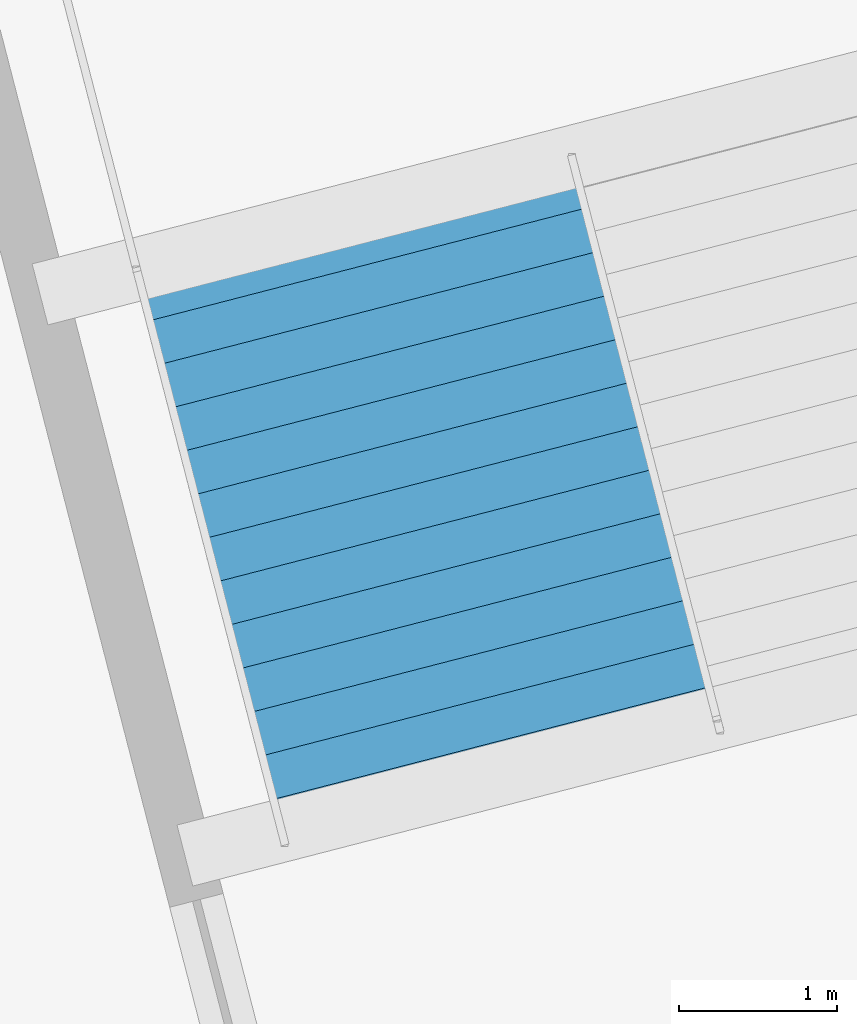
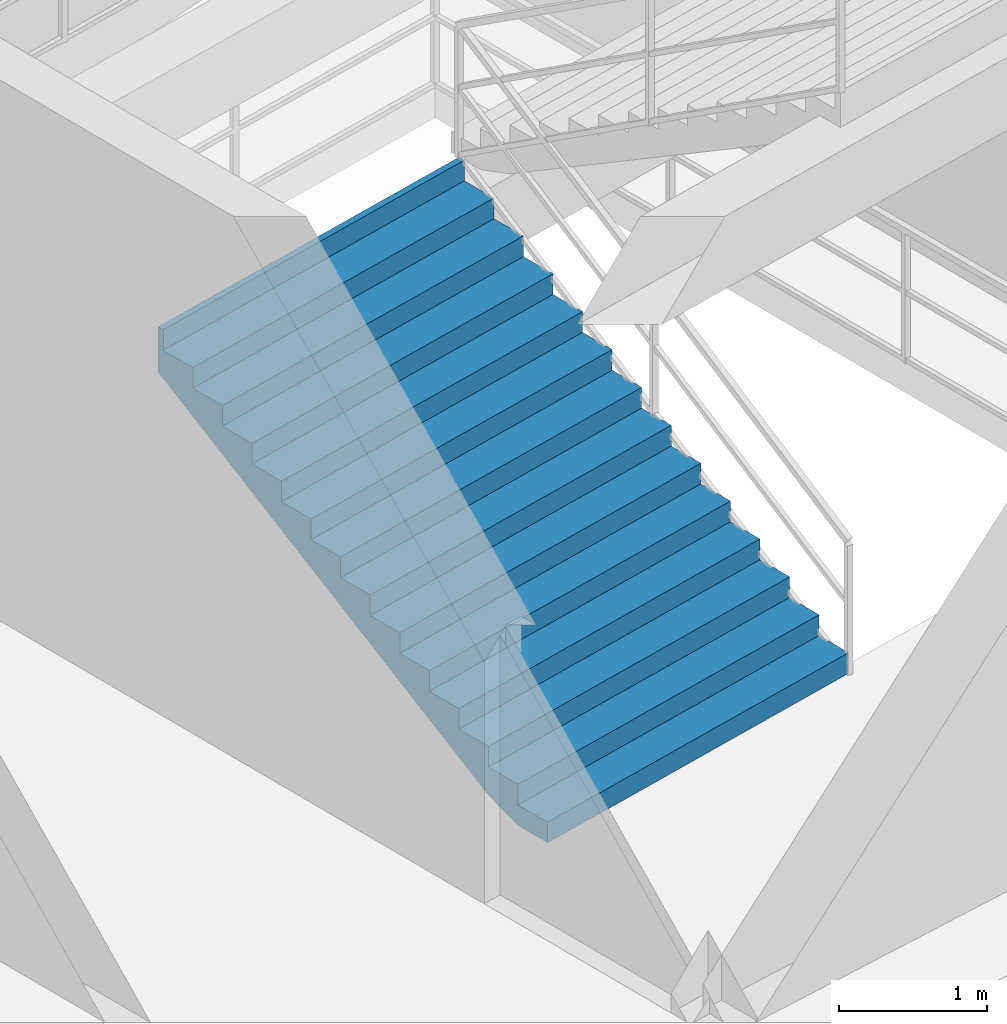
# One storey, part 152 of 171: 1 stair flight, 1 element without a shape of its own.
"""IFC4 building model written with IfcOpenShell, lengths in metres."""

from ifc_helpers import new_model, si_unit, direction, frame, origin, place, context, subcontext, project, spatial, polygons, material, type_object, element, aggregate, save


model = new_model("IFC4")

# Units and contexts
model_context = context("Model", 3, precision=1e-05, world=origin(), true_north=direction((0.0, 1.0)))
body_context = subcontext(model_context, "Body", "Model", "MODEL_VIEW")
ifc_project = project(units=[si_unit("LENGTHUNIT", "METRE"), si_unit("AREAUNIT", "SQUARE_METRE"), si_unit("VOLUMEUNIT", "CUBIC_METRE"), si_unit("PLANEANGLEUNIT", "RADIAN"), si_unit("MASSUNIT", "GRAM", prefix="KILO")], contexts=[model_context])

# Site, building, storey
site_placement = place(None, origin())
site = spatial("IfcSite", under=ifc_project, at=site_placement, CompositionType="ELEMENT")
building_placement = place(site_placement, origin())
building = spatial("IfcBuilding", under=site, at=building_placement, Name="Kazemori Nagisa Stadium", CompositionType="ELEMENT")
storey_placement = place(building_placement, frame((0.0, 0.0, 15.639892578125)))
storey = spatial("IfcBuildingStorey", under=building, at=storey_placement, Name="L03", CompositionType="ELEMENT", Elevation=15.639892578125)

# Stair, stair flight
ifc_material = material(Name="Concrete C36/45 (Fc36)", Category="concrete")
stair_type = type_object("IfcStairType", Name="Stair_CORE_28", PredefinedType="TWO_STRAIGHT_RUN_STAIR", material=ifc_material)
stair_placement = place(storey_placement, origin())
stair = element("IfcStair", 1, at=stair_placement, inside=storey, type_object=stair_type, Name="Exit stair ST07 L03", PredefinedType="TWO_STRAIGHT_RUN_STAIR")
stair_flight_type = type_object("IfcStairFlightType", Name="Flight_CORE_14", PredefinedType="STRAIGHT", material=ifc_material)
stair_flight_placement = place(storey_placement, frame((207.933349609375, 122.920166015625, 0.0), z_axis=(0.0, 0.0, 1.0), x_axis=(-0.250001576145, 0.968245429592, 0.0)))
stair_flight = element("IfcStairFlight", 2, at=stair_flight_placement, type_object=stair_flight_type, Name="Exit stair ST07 L03 flight 1", NumberOfRisers=14, NumberOfTreads=13, PredefinedType="STRAIGHT", RiserHeight=0.17, TreadLength=0.285, context=body_context, shape_type="Tessellation", body=[
    polygons([(0.0, -1.425048828125, 0.0), (0.0, -1.425048828125, 0.169921875), (0.284912109375, -1.425048828125, 0.169921875), (0.284912109375, -1.425048828125, 0.340087890625), (0.570068359375, -1.425048828125, 0.340087890625), (0.570068359375, -1.425048828125, 0.510009765625), (0.85498046875, -1.425048828125, 0.510009765625), (0.85498046875, -1.425048828125, 0.679931640625), (1.139892578125, -1.425048828125, 0.679931640625), (1.139892578125, -1.425048828125, 0.85009765625), (1.425048828125, -1.425048828125, 0.85009765625), (1.425048828125, -1.425048828125, 1.02001953125), (1.7099609375, -1.425048828125, 1.02001953125), (1.7099609375, -1.425048828125, 1.18994140625), (1.9951171875, -1.425048828125, 1.18994140625), (1.9951171875, -1.425048828125, 1.360107421875), (2.280029296875, -1.425048828125, 1.360107421875), (2.280029296875, -1.425048828125, 1.530029296875), (2.56494140625, -1.425048828125, 1.530029296875), (2.56494140625, -1.425048828125, 1.699951171875), (2.85009765625, -1.425048828125, 1.699951171875), (2.85009765625, -1.425048828125, 1.8701171875), (3.135009765625, -1.425048828125, 1.8701171875), (3.135009765625, -1.425048828125, 2.0400390625), (3.419921875, -1.425048828125, 2.0400390625), (3.419921875, -1.425048828125, 2.2099609375), (3.705078125, -1.425048828125, 2.2099609375), (3.705078125, -1.425048828125, 2.3798828125), (3.7548828125, -1.425048828125, 2.3798828125), (3.7548828125, -1.425048828125, 2.007080078125), (3.705078125, -1.425048828125, 1.977294921875), (3.419921875, -1.425048828125, 1.80712890625), (3.135009765625, -1.425048828125, 1.63720703125), (2.85009765625, -1.425048828125, 1.46728515625), (2.56494140625, -1.425048828125, 1.297119140625), (2.280029296875, -1.425048828125, 1.127197265625), (1.9951171875, -1.425048828125, 0.957275390625), (1.7099609375, -1.425048828125, 0.787109375), (1.425048828125, -1.425048828125, 0.6171875), (1.139892578125, -1.425048828125, 0.447265625), (0.85498046875, -1.425048828125, 0.277099609375), (0.570068359375, -1.425048828125, 0.107177734375), (0.284912109375, -1.425048828125, 0.0), (0.0, -0.08544921875, 0.0), (0.0, -0.08544921875, 0.169921875), (0.284912109375, -0.08544921875, 0.169921875), (0.284912109375, -0.08544921875, 0.340087890625), (0.570068359375, -0.08544921875, 0.340087890625), (0.570068359375, -0.08544921875, 0.510009765625), (0.85498046875, -0.08544921875, 0.510009765625), (0.85498046875, -0.08544921875, 0.679931640625), (1.139892578125, -0.08544921875, 0.679931640625), (1.139892578125, -0.08544921875, 0.85009765625), (1.425048828125, -0.08544921875, 0.85009765625), (1.425048828125, -0.08544921875, 1.02001953125), (1.7099609375, -0.08544921875, 1.02001953125), (1.7099609375, -0.08544921875, 1.18994140625), (1.9951171875, -0.08544921875, 1.18994140625), (1.9951171875, -0.08544921875, 1.360107421875), (2.280029296875, -0.08544921875, 1.360107421875), (2.280029296875, -0.08544921875, 1.530029296875), (2.56494140625, -0.08544921875, 1.530029296875), (2.56494140625, -0.08544921875, 1.699951171875), (2.85009765625, -0.08544921875, 1.699951171875), (2.85009765625, -0.08544921875, 1.8701171875), (3.135009765625, -0.08544921875, 1.8701171875), (3.135009765625, -0.08544921875, 2.0400390625), (3.419921875, -0.08544921875, 2.0400390625), (3.419921875, -0.08544921875, 2.2099609375), (3.705078125, -0.08544921875, 2.2099609375), (3.705078125, -0.08544921875, 2.3798828125), (3.7548828125, -0.08544921875, 2.3798828125), (3.7548828125, -0.08544921875, 2.007080078125), (3.705078125, -0.08544921875, 1.977294921875), (3.419921875, -0.08544921875, 1.80712890625), (3.135009765625, -0.08544921875, 1.63720703125), (2.85009765625, -0.08544921875, 1.46728515625), (2.56494140625, -0.08544921875, 1.297119140625), (2.280029296875, -0.08544921875, 1.127197265625), (1.9951171875, -0.08544921875, 0.957275390625), (1.7099609375, -0.08544921875, 0.787109375), (1.425048828125, -0.08544921875, 0.6171875), (1.139892578125, -0.08544921875, 0.447265625), (0.85498046875, -0.08544921875, 0.277099609375), (0.570068359375, -0.08544921875, 0.107177734375), (0.284912109375, -0.08544921875, 0.0), (0.0, 0.0, 0.0), (0.0, 0.0, 0.169921875), (0.284912109375, 0.0, 0.169921875), (0.284912109375, 0.0, 0.340087890625), (0.570068359375, 0.0, 0.340087890625), (0.570068359375, 0.0, 0.510009765625), (0.85498046875, 0.0, 0.510009765625), (0.85498046875, 0.0, 0.679931640625), (1.139892578125, 0.0, 0.679931640625), (1.139892578125, 0.0, 0.85009765625), (1.425048828125, 0.0, 0.85009765625), (1.425048828125, 0.0, 1.02001953125), (1.7099609375, 0.0, 1.02001953125), (1.7099609375, 0.0, 1.18994140625), (1.9951171875, 0.0, 1.18994140625), (1.9951171875, 0.0, 1.360107421875), (2.280029296875, 0.0, 1.360107421875), (2.280029296875, 0.0, 1.530029296875), (2.56494140625, 0.0, 1.530029296875), (2.56494140625, 0.0, 1.699951171875), (2.85009765625, 0.0, 1.699951171875), (2.85009765625, 0.0, 1.8701171875), (3.135009765625, 0.0, 1.8701171875), (3.135009765625, 0.0, 2.0400390625), (3.419921875, 0.0, 2.0400390625), (3.419921875, 0.0, 2.2099609375), (3.705078125, 0.0, 2.2099609375), (3.705078125, 0.0, 2.3798828125), (3.7548828125, 0.0, 2.3798828125), (3.7548828125, 0.0, 2.007080078125), (3.705078125, 0.0, 1.977294921875), (3.419921875, 0.0, 1.80712890625), (3.135009765625, 0.0, 1.63720703125), (2.85009765625, 0.0, 1.46728515625), (2.56494140625, 0.0, 1.297119140625), (2.280029296875, 0.0, 1.127197265625), (1.9951171875, 0.0, 0.957275390625), (1.7099609375, 0.0, 0.787109375), (1.425048828125, 0.0, 0.6171875), (1.139892578125, 0.0, 0.447265625), (0.85498046875, 0.0, 0.277099609375), (0.570068359375, 0.0, 0.107177734375), (0.284912109375, 0.0, 0.0), (0.0, 0.08544921875, 0.0), (0.0, 0.08544921875, 0.169921875), (0.284912109375, 0.08544921875, 0.169921875), (0.284912109375, 0.08544921875, 0.340087890625), (0.570068359375, 0.08544921875, 0.340087890625), (0.570068359375, 0.08544921875, 0.510009765625), (0.85498046875, 0.08544921875, 0.510009765625), (0.85498046875, 0.08544921875, 0.679931640625), (1.139892578125, 0.08544921875, 0.679931640625), (1.139892578125, 0.08544921875, 0.85009765625), (1.425048828125, 0.08544921875, 0.85009765625), (1.425048828125, 0.08544921875, 1.02001953125), (1.7099609375, 0.08544921875, 1.02001953125), (1.7099609375, 0.08544921875, 1.18994140625), (1.9951171875, 0.08544921875, 1.18994140625), (1.9951171875, 0.08544921875, 1.360107421875), (2.280029296875, 0.08544921875, 1.360107421875), (2.280029296875, 0.08544921875, 1.530029296875), (2.56494140625, 0.08544921875, 1.530029296875), (2.56494140625, 0.08544921875, 1.699951171875), (2.85009765625, 0.08544921875, 1.699951171875), (2.85009765625, 0.08544921875, 1.8701171875), (3.135009765625, 0.08544921875, 1.8701171875), (3.135009765625, 0.08544921875, 2.0400390625), (3.419921875, 0.08544921875, 2.0400390625), (3.419921875, 0.08544921875, 2.2099609375), (3.705078125, 0.08544921875, 2.2099609375), (3.705078125, 0.08544921875, 2.3798828125), (3.7548828125, 0.08544921875, 2.3798828125), (3.7548828125, 0.08544921875, 2.007080078125), (3.705078125, 0.08544921875, 1.977294921875), (3.419921875, 0.08544921875, 1.80712890625), (3.135009765625, 0.08544921875, 1.63720703125), (2.85009765625, 0.08544921875, 1.46728515625), (2.56494140625, 0.08544921875, 1.297119140625), (2.280029296875, 0.08544921875, 1.127197265625), (1.9951171875, 0.08544921875, 0.957275390625), (1.7099609375, 0.08544921875, 0.787109375), (1.425048828125, 0.08544921875, 0.6171875), (1.139892578125, 0.08544921875, 0.447265625), (0.85498046875, 0.08544921875, 0.277099609375), (0.570068359375, 0.08544921875, 0.107177734375), (0.284912109375, 0.08544921875, 0.0), (0.0, 1.425048828125, 0.0), (0.0, 1.425048828125, 0.169921875), (0.284912109375, 1.425048828125, 0.169921875), (0.284912109375, 1.425048828125, 0.340087890625), (0.570068359375, 1.425048828125, 0.340087890625), (0.570068359375, 1.425048828125, 0.510009765625), (0.85498046875, 1.425048828125, 0.510009765625), (0.85498046875, 1.425048828125, 0.679931640625), (1.139892578125, 1.425048828125, 0.679931640625), (1.139892578125, 1.425048828125, 0.85009765625), (1.425048828125, 1.425048828125, 0.85009765625), (1.425048828125, 1.425048828125, 1.02001953125), (1.7099609375, 1.425048828125, 1.02001953125), (1.7099609375, 1.425048828125, 1.18994140625), (1.9951171875, 1.425048828125, 1.18994140625), (1.9951171875, 1.425048828125, 1.360107421875), (2.280029296875, 1.425048828125, 1.360107421875), (2.280029296875, 1.425048828125, 1.530029296875), (2.56494140625, 1.425048828125, 1.530029296875), (2.56494140625, 1.425048828125, 1.699951171875), (2.85009765625, 1.425048828125, 1.699951171875), (2.85009765625, 1.425048828125, 1.8701171875), (3.135009765625, 1.425048828125, 1.8701171875), (3.135009765625, 1.425048828125, 2.0400390625), (3.419921875, 1.425048828125, 2.0400390625), (3.419921875, 1.425048828125, 2.2099609375), (3.705078125, 1.425048828125, 2.2099609375), (3.705078125, 1.425048828125, 2.3798828125), (3.7548828125, 1.425048828125, 2.3798828125), (3.7548828125, 1.425048828125, 2.007080078125), (3.705078125, 1.425048828125, 1.977294921875), (3.419921875, 1.425048828125, 1.80712890625), (3.135009765625, 1.425048828125, 1.63720703125), (2.85009765625, 1.425048828125, 1.46728515625), (2.56494140625, 1.425048828125, 1.297119140625), (2.280029296875, 1.425048828125, 1.127197265625), (1.9951171875, 1.425048828125, 0.957275390625), (1.7099609375, 1.425048828125, 0.787109375), (1.425048828125, 1.425048828125, 0.6171875), (1.139892578125, 1.425048828125, 0.447265625), (0.85498046875, 1.425048828125, 0.277099609375), (0.570068359375, 1.425048828125, 0.107177734375), (0.284912109375, 1.425048828125, 0.0)], [[[1, 2, 45]], [[1, 45, 44]], [[2, 3, 46]], [[2, 46, 45]], [[3, 4, 47]], [[3, 47, 46]], [[4, 5, 48]], [[4, 48, 47]], [[5, 6, 49]], [[5, 49, 48]], [[6, 7, 50]], [[6, 50, 49]], [[7, 8, 51]], [[7, 51, 50]], [[8, 9, 52]], [[8, 52, 51]], [[9, 10, 53]], [[9, 53, 52]], [[10, 11, 54]], [[10, 54, 53]], [[11, 12, 55]], [[11, 55, 54]], [[12, 13, 56]], [[12, 56, 55]], [[13, 14, 57]], [[13, 57, 56]], [[14, 15, 58]], [[14, 58, 57]], [[15, 16, 59]], [[15, 59, 58]], [[16, 17, 60]], [[16, 60, 59]], [[17, 18, 61]], [[17, 61, 60]], [[18, 19, 62]], [[18, 62, 61]], [[19, 20, 63]], [[19, 63, 62]], [[20, 21, 64]], [[20, 64, 63]], [[21, 22, 65]], [[21, 65, 64]], [[22, 23, 66]], [[22, 66, 65]], [[23, 24, 67]], [[23, 67, 66]], [[24, 25, 68]], [[24, 68, 67]], [[25, 26, 69]], [[25, 69, 68]], [[26, 27, 70]], [[26, 70, 69]], [[27, 28, 71]], [[27, 71, 70]], [[28, 29, 72]], [[28, 72, 71]], [[29, 30, 73]], [[29, 73, 72]], [[30, 31, 74]], [[30, 74, 73]], [[31, 32, 75]], [[31, 75, 74]], [[32, 33, 76]], [[32, 76, 75]], [[33, 34, 77]], [[33, 77, 76]], [[34, 35, 78]], [[34, 78, 77]], [[35, 36, 79]], [[35, 79, 78]], [[36, 37, 80]], [[36, 80, 79]], [[37, 38, 81]], [[37, 81, 80]], [[38, 39, 82]], [[38, 82, 81]], [[39, 40, 83]], [[39, 83, 82]], [[40, 41, 84]], [[40, 84, 83]], [[41, 42, 85]], [[41, 85, 84]], [[42, 43, 86]], [[42, 86, 85]], [[43, 1, 44]], [[43, 44, 86]], [[44, 45, 88]], [[44, 88, 87]], [[45, 46, 89]], [[45, 89, 88]], [[46, 47, 90]], [[46, 90, 89]], [[47, 48, 91]], [[47, 91, 90]], [[48, 49, 92]], [[48, 92, 91]], [[49, 50, 93]], [[49, 93, 92]], [[50, 51, 94]], [[50, 94, 93]], [[51, 52, 95]], [[51, 95, 94]], [[52, 53, 96]], [[52, 96, 95]], [[53, 54, 97]], [[53, 97, 96]], [[54, 55, 98]], [[54, 98, 97]], [[55, 56, 99]], [[55, 99, 98]], [[56, 57, 100]], [[56, 100, 99]], [[57, 58, 101]], [[57, 101, 100]], [[58, 59, 102]], [[58, 102, 101]], [[59, 60, 103]], [[59, 103, 102]], [[60, 61, 104]], [[60, 104, 103]], [[61, 62, 105]], [[61, 105, 104]], [[62, 63, 106]], [[62, 106, 105]], [[63, 64, 107]], [[63, 107, 106]], [[64, 65, 108]], [[64, 108, 107]], [[65, 66, 109]], [[65, 109, 108]], [[66, 67, 110]], [[66, 110, 109]], [[67, 68, 111]], [[67, 111, 110]], [[68, 69, 112]], [[68, 112, 111]], [[69, 70, 113]], [[69, 113, 112]], [[70, 71, 114]], [[70, 114, 113]], [[71, 72, 115]], [[71, 115, 114]], [[72, 73, 116]], [[72, 116, 115]], [[73, 74, 117]], [[73, 117, 116]], [[74, 75, 118]], [[74, 118, 117]], [[75, 76, 119]], [[75, 119, 118]], [[76, 77, 120]], [[76, 120, 119]], [[77, 78, 121]], [[77, 121, 120]], [[78, 79, 122]], [[78, 122, 121]], [[79, 80, 123]], [[79, 123, 122]], [[80, 81, 124]], [[80, 124, 123]], [[81, 82, 125]], [[81, 125, 124]], [[82, 83, 126]], [[82, 126, 125]], [[83, 84, 127]], [[83, 127, 126]], [[84, 85, 128]], [[84, 128, 127]], [[85, 86, 129]], [[85, 129, 128]], [[86, 44, 87]], [[86, 87, 129]], [[87, 88, 131]], [[87, 131, 130]], [[88, 89, 132]], [[88, 132, 131]], [[89, 90, 133]], [[89, 133, 132]], [[90, 91, 134]], [[90, 134, 133]], [[91, 92, 135]], [[91, 135, 134]], [[92, 93, 136]], [[92, 136, 135]], [[93, 94, 137]], [[93, 137, 136]], [[94, 95, 138]], [[94, 138, 137]], [[95, 96, 139]], [[95, 139, 138]], [[96, 97, 140]], [[96, 140, 139]], [[97, 98, 141]], [[97, 141, 140]], [[98, 99, 142]], [[98, 142, 141]], [[99, 100, 143]], [[99, 143, 142]], [[100, 101, 144]], [[100, 144, 143]], [[101, 102, 145]], [[101, 145, 144]], [[102, 103, 146]], [[102, 146, 145]], [[103, 104, 147]], [[103, 147, 146]], [[104, 105, 148]], [[104, 148, 147]], [[105, 106, 149]], [[105, 149, 148]], [[106, 107, 150]], [[106, 150, 149]], [[107, 108, 151]], [[107, 151, 150]], [[108, 109, 152]], [[108, 152, 151]], [[109, 110, 153]], [[109, 153, 152]], [[110, 111, 154]], [[110, 154, 153]], [[111, 112, 155]], [[111, 155, 154]], [[112, 113, 156]], [[112, 156, 155]], [[113, 114, 157]], [[113, 157, 156]], [[114, 115, 158]], [[114, 158, 157]], [[115, 116, 159]], [[115, 159, 158]], [[116, 117, 160]], [[116, 160, 159]], [[117, 118, 161]], [[117, 161, 160]], [[118, 119, 162]], [[118, 162, 161]], [[119, 120, 163]], [[119, 163, 162]], [[120, 121, 164]], [[120, 164, 163]], [[121, 122, 165]], [[121, 165, 164]], [[122, 123, 166]], [[122, 166, 165]], [[123, 124, 167]], [[123, 167, 166]], [[124, 125, 168]], [[124, 168, 167]], [[125, 126, 169]], [[125, 169, 168]], [[126, 127, 170]], [[126, 170, 169]], [[127, 128, 171]], [[127, 171, 170]], [[128, 129, 172]], [[128, 172, 171]], [[129, 87, 130]], [[129, 130, 172]], [[130, 131, 174]], [[130, 174, 173]], [[131, 132, 175]], [[131, 175, 174]], [[132, 133, 176]], [[132, 176, 175]], [[133, 134, 177]], [[133, 177, 176]], [[134, 135, 178]], [[134, 178, 177]], [[135, 136, 179]], [[135, 179, 178]], [[136, 137, 180]], [[136, 180, 179]], [[137, 138, 181]], [[137, 181, 180]], [[138, 139, 182]], [[138, 182, 181]], [[139, 140, 183]], [[139, 183, 182]], [[140, 141, 184]], [[140, 184, 183]], [[141, 142, 185]], [[141, 185, 184]], [[142, 143, 186]], [[142, 186, 185]], [[143, 144, 187]], [[143, 187, 186]], [[144, 145, 188]], [[144, 188, 187]], [[145, 146, 189]], [[145, 189, 188]], [[146, 147, 190]], [[146, 190, 189]], [[147, 148, 191]], [[147, 191, 190]], [[148, 149, 192]], [[148, 192, 191]], [[149, 150, 193]], [[149, 193, 192]], [[150, 151, 194]], [[150, 194, 193]], [[151, 152, 195]], [[151, 195, 194]], [[152, 153, 196]], [[152, 196, 195]], [[153, 154, 197]], [[153, 197, 196]], [[154, 155, 198]], [[154, 198, 197]], [[155, 156, 199]], [[155, 199, 198]], [[156, 157, 200]], [[156, 200, 199]], [[157, 158, 201]], [[157, 201, 200]], [[158, 159, 202]], [[158, 202, 201]], [[159, 160, 203]], [[159, 203, 202]], [[160, 161, 204]], [[160, 204, 203]], [[161, 162, 205]], [[161, 205, 204]], [[162, 163, 206]], [[162, 206, 205]], [[163, 164, 207]], [[163, 207, 206]], [[164, 165, 208]], [[164, 208, 207]], [[165, 166, 209]], [[165, 209, 208]], [[166, 167, 210]], [[166, 210, 209]], [[167, 168, 211]], [[167, 211, 210]], [[168, 169, 212]], [[168, 212, 211]], [[169, 170, 213]], [[169, 213, 212]], [[170, 171, 214]], [[170, 214, 213]], [[171, 172, 215]], [[171, 215, 214]], [[172, 130, 173]], [[172, 173, 215]], [[3, 2, 1]], [[173, 174, 175]], [[43, 3, 1]], [[173, 175, 215]], [[42, 3, 43]], [[215, 175, 214]], [[5, 3, 42]], [[214, 175, 177]], [[5, 4, 3]], [[175, 176, 177]], [[41, 5, 42]], [[214, 177, 213]], [[7, 5, 41]], [[213, 177, 179]], [[7, 6, 5]], [[177, 178, 179]], [[40, 7, 41]], [[213, 179, 212]], [[9, 7, 40]], [[212, 179, 181]], [[9, 8, 7]], [[179, 180, 181]], [[39, 9, 40]], [[212, 181, 211]], [[11, 9, 39]], [[211, 181, 183]], [[11, 10, 9]], [[181, 182, 183]], [[38, 11, 39]], [[211, 183, 210]], [[13, 11, 38]], [[210, 183, 185]], [[13, 12, 11]], [[183, 184, 185]], [[37, 13, 38]], [[210, 185, 209]], [[15, 13, 37]], [[209, 185, 187]], [[15, 14, 13]], [[185, 186, 187]], [[36, 15, 37]], [[209, 187, 208]], [[17, 15, 36]], [[208, 187, 189]], [[17, 16, 15]], [[187, 188, 189]], [[35, 17, 36]], [[208, 189, 207]], [[19, 17, 35]], [[207, 189, 191]], [[19, 18, 17]], [[189, 190, 191]], [[34, 19, 35]], [[207, 191, 206]], [[21, 19, 34]], [[206, 191, 193]], [[21, 20, 19]], [[191, 192, 193]], [[33, 21, 34]], [[206, 193, 205]], [[23, 21, 33]], [[205, 193, 195]], [[23, 22, 21]], [[193, 194, 195]], [[32, 23, 33]], [[205, 195, 204]], [[25, 23, 32]], [[204, 195, 197]], [[25, 24, 23]], [[195, 196, 197]], [[31, 25, 32]], [[204, 197, 203]], [[27, 25, 31]], [[203, 197, 199]], [[27, 26, 25]], [[197, 198, 199]], [[30, 27, 31]], [[203, 199, 202]], [[29, 27, 30]], [[202, 199, 201]], [[29, 28, 27]], [[199, 200, 201]]], closed=True),
])
aggregate(stair, [stair_flight])

save(model, "model.ifc")
